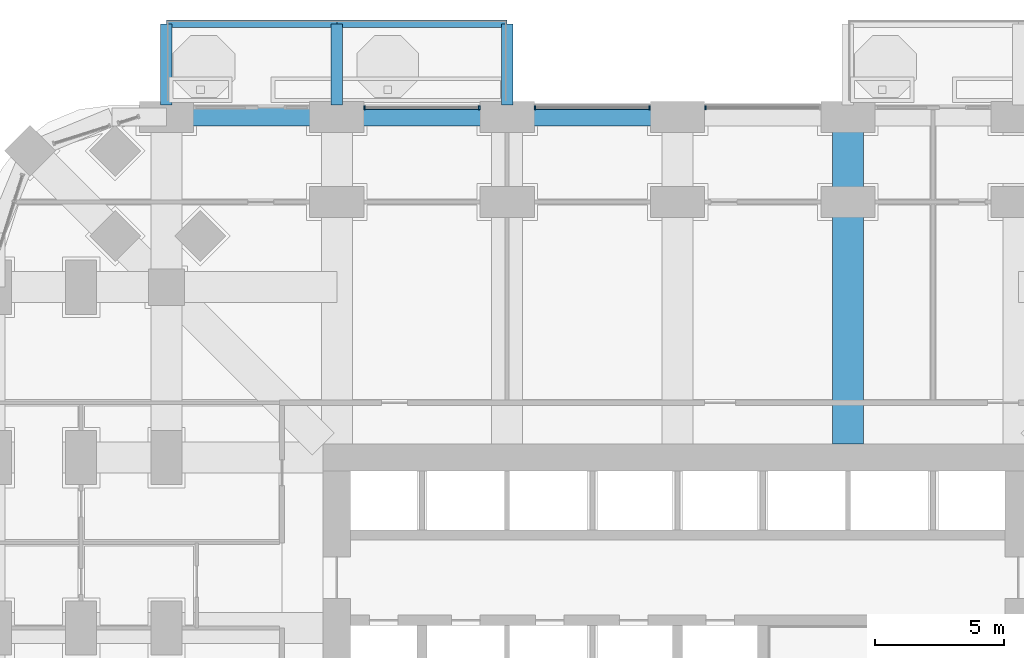
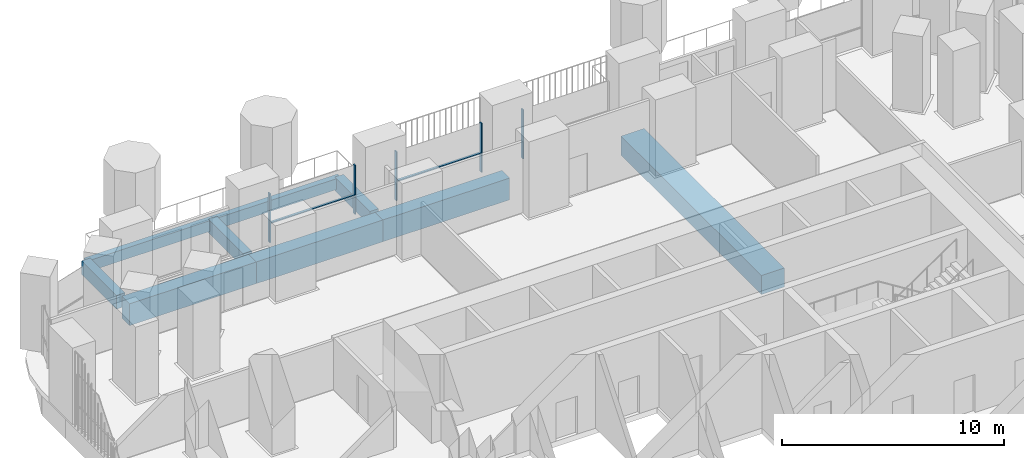
# One storey, part 8 of 27: 9 beams, 7 members, 3 elements without a shape of their own.
"""IFC4 building model written with IfcOpenShell, lengths in metres."""

from ifc_helpers import new_model, si_unit, direction, frame, origin, origin_2d, place, context, subcontext, project, spatial, rectangle, extrude, material, material_profile, profile_set, type_object, element, aggregate, save


model = new_model("IFC4")

# Units and contexts
model_context = context("Model", 3, precision=1e-05, world=origin(), true_north=direction((0.0, 1.0)))
body_context = subcontext(model_context, "Body", "Model", "MODEL_VIEW")
ifc_project = project(units=[si_unit("LENGTHUNIT", "METRE"), si_unit("AREAUNIT", "SQUARE_METRE"), si_unit("VOLUMEUNIT", "CUBIC_METRE"), si_unit("PLANEANGLEUNIT", "RADIAN"), si_unit("MASSUNIT", "GRAM", prefix="KILO")], contexts=[model_context])

# Site, building, storey
site_placement = place(None, origin())
site = spatial("IfcSite", under=ifc_project, at=site_placement, CompositionType="ELEMENT")
building_placement = place(site_placement, origin())
building = spatial("IfcBuilding", under=site, at=building_placement, Name="Cobogo Forest Laboratory Tower", CompositionType="ELEMENT")
storey_placement = place(building_placement, frame((0.0, 0.0, 46.5)))
storey = spatial("IfcBuildingStorey", under=building, at=storey_placement, Name="L10", CompositionType="ELEMENT", Elevation=46.5)

# Beams
ifc_material_1 = material(Name="Concrete HA-40 (C40/50)", Category="concrete")
ifc_material_profile_1 = material_profile(ifc_material_1, rectangle(XDim=0.449951171875, YDim=0.75, at=origin_2d()), Name="RC 450x750")
ifc_profile_set_1 = profile_set([ifc_material_profile_1], Name="Concrete HA-40 (C40/50)")
beam_type_1 = type_object("IfcBeamType", Name="Balcony cantilever beam 450x750", PredefinedType="BEAM", material=ifc_profile_set_1)
for number, where, z_axis, x_axis, name in (
    (1, (6.60009765625, 46.64990234375, -0.625), (0.0, 1.0, 0.0), (-1.0, 0.0, 0.0), "CB1 BAL-N1-C1 L10"),
    (2, (13.199951171875, 46.64990234375, -0.625), (0.0, 1.0, 0.0), (-1.0, 0.0, 0.0), "CB1 BAL-N1-C2 L10"),
    (3, (19.800048828125, 46.64990234375, -0.625), (0.0, 1.0, 0.0), (-1.0, 0.0, 0.0), "CB1 BAL-N1-C3 L10"),
):
    element("IfcBeam", number, at=place(storey_placement, frame(where, z_axis=z_axis, x_axis=x_axis)), inside=storey, type_object=beam_type_1, Name=name, PredefinedType="BEAM", context=body_context, shape_type="SweptSolid", body=[
        extrude(rectangle(XDim=0.449951171875, YDim=0.75, at=origin_2d()), origin(), (0.0, 0.0, 1.0), 3.150146484375),
    ])
ifc_material_profile_2 = material_profile(ifc_material_1, rectangle(XDim=0.300048828125, YDim=0.60009765625, at=origin_2d()), Name="RC 300x600")
ifc_profile_set_2 = profile_set([ifc_material_profile_2], Name="Concrete HA-40 (C40/50)")
beam_type_2 = type_object("IfcBeamType", Name="Balcony edge beam 300x600", PredefinedType="BEAM", material=ifc_profile_set_2)
beam_1_placement = place(storey_placement, frame((6.60009765625, 49.800048828125, -0.550048828125), z_axis=(1.0, 0.0, 0.0), x_axis=(0.0, 1.0, 0.0)))
element("IfcBeam", 4, at=beam_1_placement, inside=storey, type_object=beam_type_2, Name="BB1 BAL-N1-T1 L10", PredefinedType="BEAM", context=body_context, shape_type="SweptSolid", body=[
    extrude(rectangle(XDim=0.300048828125, YDim=0.60009765625, at=origin_2d()), origin(), (0.0, 0.0, 1.0), 6.599853515625),
])
beam_2_placement = place(storey_placement, frame((13.199951171875, 49.800048828125, -0.550048828125), z_axis=(1.0, 0.0, 0.0), x_axis=(0.0, 1.0, 0.0)))
element("IfcBeam", 5, at=beam_2_placement, inside=storey, type_object=beam_type_2, Name="BB1 BAL-N1-T2 L10", PredefinedType="BEAM", context=body_context, shape_type="SweptSolid", body=[
    extrude(rectangle(XDim=0.300048828125, YDim=0.60009765625, at=origin_2d()), origin(), (0.0, 0.0, 1.0), 6.60009765625),
])
ifc_material_profile_3 = material_profile(ifc_material_1, rectangle(XDim=1.199951171875, YDim=1.050048828125, at=origin_2d()), Name="RC 1200x1050")
ifc_profile_set_3 = profile_set([ifc_material_profile_3], Name="Concrete HA-40 (C40/50)")
beam_type_3 = type_object("IfcBeamType", Name="Laboratory floor wide beam 1200x1050", PredefinedType="BEAM", material=ifc_profile_set_3)
beam_3_placement = place(storey_placement, frame((33.0, 33.52490234375, -0.824951171875), z_axis=(0.0, 1.0, 0.0), x_axis=(-1.0, 0.0, 0.0)))
element("IfcBeam", 6, at=beam_3_placement, inside=storey, type_object=beam_type_3, Name="RB1 R-6-N L10", PredefinedType="BEAM", context=body_context, shape_type="SweptSolid", body=[
    extrude(rectangle(XDim=1.199951171875, YDim=1.050048828125, at=origin_2d()), origin(), (0.0, 0.0, 1.0), 12.675048828125),
])

# Curtain wall, member
ifc_material_2 = material(Name="Aluminium curtain wall", Category="aluminium")
curtain_wall_type = type_object("IfcCurtainWallType", Name="CW-1 unitised curtain wall, clear glazing, laboratory floors zones A and B", PredefinedType="USERDEFINED", material=ifc_material_2)
curtain_wall_1_placement = place(storey_placement, origin())
curtain_wall_1 = element("IfcCurtainWall", 7, at=curtain_wall_1_placement, inside=storey, type_object=curtain_wall_type, Name="Curtain wall 20 L10", ObjectType="UNITISED CURTAIN WALL", PredefinedType="USERDEFINED")
ifc_material_3 = material(Name="Aluminium mullion", Category="aluminium")
ifc_material_profile_4 = material_profile(ifc_material_3, rectangle(XDim=0.06005859375, YDim=0.159912109375, at=origin_2d()), Name="AL 60x160")
ifc_profile_set_4 = profile_set([ifc_material_profile_4], Name="Aluminium mullion")
member_type_1 = type_object("IfcMemberType", Name="MU-1 aluminium mullion 60x160", PredefinedType="MULLION", material=ifc_profile_set_4)
member_1_placement = place(storey_placement, frame((27.47998046875, 46.550048828125, 0.0), z_axis=(0.0, 0.0, 1.0), x_axis=(-1.0, 0.0, 0.0)))
member_1 = element("IfcMember", 8, at=member_1_placement, type_object=member_type_1, Name="CW-1 mullion 2", PredefinedType="MULLION", context=body_context, shape_type="SweptSolid", body=[
    extrude(rectangle(XDim=0.06005859375, YDim=0.159912109375, at=origin_2d()), origin(), (0.0, 0.0, 1.0), 2.699951171875),
])
aggregate(curtain_wall_1, [member_1])

# Curtain wall, members
curtain_wall_2_placement = place(storey_placement, origin())
curtain_wall_2 = element("IfcCurtainWall", 9, at=curtain_wall_2_placement, inside=storey, type_object=curtain_wall_type, Name="Curtain wall 21 L10", ObjectType="UNITISED CURTAIN WALL", PredefinedType="USERDEFINED")
member_2_placement = place(storey_placement, frame((25.320068359375, 46.550048828125, 0.0), z_axis=(0.0, 0.0, 1.0), x_axis=(-1.0, 0.0, 0.0)))
member_2 = element("IfcMember", 10, at=member_2_placement, type_object=member_type_1, Name="CW-1 mullion 1", PredefinedType="MULLION", context=body_context, shape_type="SweptSolid", body=[
    extrude(rectangle(XDim=0.06005859375, YDim=0.159912109375, at=origin_2d()), origin(), (0.0, 0.0, 1.0), 2.699951171875),
])
member_3_placement = place(storey_placement, frame((20.8798828125, 46.550048828125, 0.0), z_axis=(0.0, 0.0, 1.0), x_axis=(-1.0, 0.0, 0.0)))
member_3 = element("IfcMember", 11, at=member_3_placement, type_object=member_type_1, Name="CW-1 mullion 2", PredefinedType="MULLION", context=body_context, shape_type="SweptSolid", body=[
    extrude(rectangle(XDim=0.06005859375, YDim=0.159912109375, at=origin_2d()), origin(), (0.0, 0.0, 1.0), 2.699951171875),
])

curtain_wall_3_placement = place(storey_placement, origin())
curtain_wall_3 = element("IfcCurtainWall", 12, at=curtain_wall_3_placement, inside=storey, type_object=curtain_wall_type, Name="Curtain wall 22 L10", ObjectType="UNITISED CURTAIN WALL", PredefinedType="USERDEFINED")
member_4_placement = place(storey_placement, frame((18.719970703125, 46.550048828125, 0.0), z_axis=(0.0, 0.0, 1.0), x_axis=(-1.0, 0.0, 0.0)))
member_4 = element("IfcMember", 13, at=member_4_placement, type_object=member_type_1, Name="CW-1 mullion 1", PredefinedType="MULLION", context=body_context, shape_type="SweptSolid", body=[
    extrude(rectangle(XDim=0.06005859375, YDim=0.159912109375, at=origin_2d()), origin(), (0.0, 0.0, 1.0), 2.699951171875),
])
member_5_placement = place(storey_placement, frame((14.280029296875, 46.550048828125, 0.0), z_axis=(0.0, 0.0, 1.0), x_axis=(-1.0, 0.0, 0.0)))
member_5 = element("IfcMember", 14, at=member_5_placement, type_object=member_type_1, Name="CW-1 mullion 2", PredefinedType="MULLION", context=body_context, shape_type="SweptSolid", body=[
    extrude(rectangle(XDim=0.06005859375, YDim=0.159912109375, at=origin_2d()), origin(), (0.0, 0.0, 1.0), 2.699951171875),
])

# Beams
ifc_material_profile_5 = material_profile(ifc_material_1, rectangle(XDim=0.699951171875, YDim=1.199951171875, at=origin_2d()), Name="RC 700x1200")
ifc_profile_set_5 = profile_set([ifc_material_profile_5], Name="Concrete HA-40 (C40/50)")
beam_type_4 = type_object("IfcBeamType", Name="Perimeter edge beam 700x1200", PredefinedType="BEAM", material=ifc_profile_set_5)
beam_4_placement = place(storey_placement, frame((6.60009765625, 46.199951171875, -0.89990234375), z_axis=(1.0, 0.0, 0.0), x_axis=(0.0, 1.0, 0.0)))
element("IfcBeam", 15, at=beam_4_placement, inside=storey, type_object=beam_type_4, Name="EB1 E-N1 L10", PredefinedType="BEAM", context=body_context, shape_type="SweptSolid", body=[
    extrude(rectangle(XDim=0.699951171875, YDim=1.199951171875, at=origin_2d()), origin(), (0.0, 0.0, 1.0), 6.599853515625),
])
beam_5_placement = place(storey_placement, frame((13.199951171875, 46.199951171875, -0.89990234375), z_axis=(1.0, 0.0, 0.0), x_axis=(0.0, 1.0, 0.0)))
element("IfcBeam", 16, at=beam_5_placement, inside=storey, type_object=beam_type_4, Name="EB1 E-N2 L10", PredefinedType="BEAM", context=body_context, shape_type="SweptSolid", body=[
    extrude(rectangle(XDim=0.699951171875, YDim=1.199951171875, at=origin_2d()), origin(), (0.0, 0.0, 1.0), 6.60009765625),
])
beam_6_placement = place(storey_placement, frame((19.800048828125, 46.199951171875, -0.89990234375), z_axis=(1.0, 0.0, 0.0), x_axis=(0.0, 1.0, 0.0)))
element("IfcBeam", 17, at=beam_6_placement, inside=storey, type_object=beam_type_4, Name="EB1 E-N3 L10", PredefinedType="BEAM", context=body_context, shape_type="SweptSolid", body=[
    extrude(rectangle(XDim=0.699951171875, YDim=1.199951171875, at=origin_2d()), origin(), (0.0, 0.0, 1.0), 6.599853515625),
])

# Member
ifc_material_4 = material(Name="Aluminium transom", Category="aluminium")
ifc_material_profile_6 = material_profile(ifc_material_4, rectangle(XDim=0.1201171875, YDim=0.06005859375, at=origin_2d()), Name="AL 60x120")
ifc_profile_set_6 = profile_set([ifc_material_profile_6], Name="Aluminium transom")
member_type_2 = type_object("IfcMemberType", Name="TR-1 aluminium transom 60x120", PredefinedType="USERDEFINED", material=ifc_profile_set_6)
member_6_placement = place(storey_placement, frame((25.2900390625, 46.550048828125, 1.050048828125), z_axis=(-1.0, 0.0, 0.0), x_axis=(0.0, -1.0, 0.0)))
member_6 = element("IfcMember", 18, at=member_6_placement, type_object=member_type_2, Name="CW-1 transom 1.1", ObjectType="TRANSOM", PredefinedType="USERDEFINED", context=body_context, shape_type="SweptSolid", body=[
    extrude(rectangle(XDim=0.1201171875, YDim=0.06005859375, at=origin_2d()), origin(), (0.0, 0.0, 1.0), 4.380126953125),
])

aggregate(curtain_wall_2, [member_2, member_3, member_6])

member_7_placement = place(storey_placement, frame((18.68994140625, 46.550048828125, 1.050048828125), z_axis=(-1.0, 0.0, 0.0), x_axis=(0.0, -1.0, 0.0)))
member_7 = element("IfcMember", 19, at=member_7_placement, type_object=member_type_2, Name="CW-1 transom 1.1", ObjectType="TRANSOM", PredefinedType="USERDEFINED", context=body_context, shape_type="SweptSolid", body=[
    extrude(rectangle(XDim=0.1201171875, YDim=0.06005859375, at=origin_2d()), origin(), (0.0, 0.0, 1.0), 4.3798828125),
])

aggregate(curtain_wall_3, [member_4, member_5, member_7])

save(model, "model.ifc")
